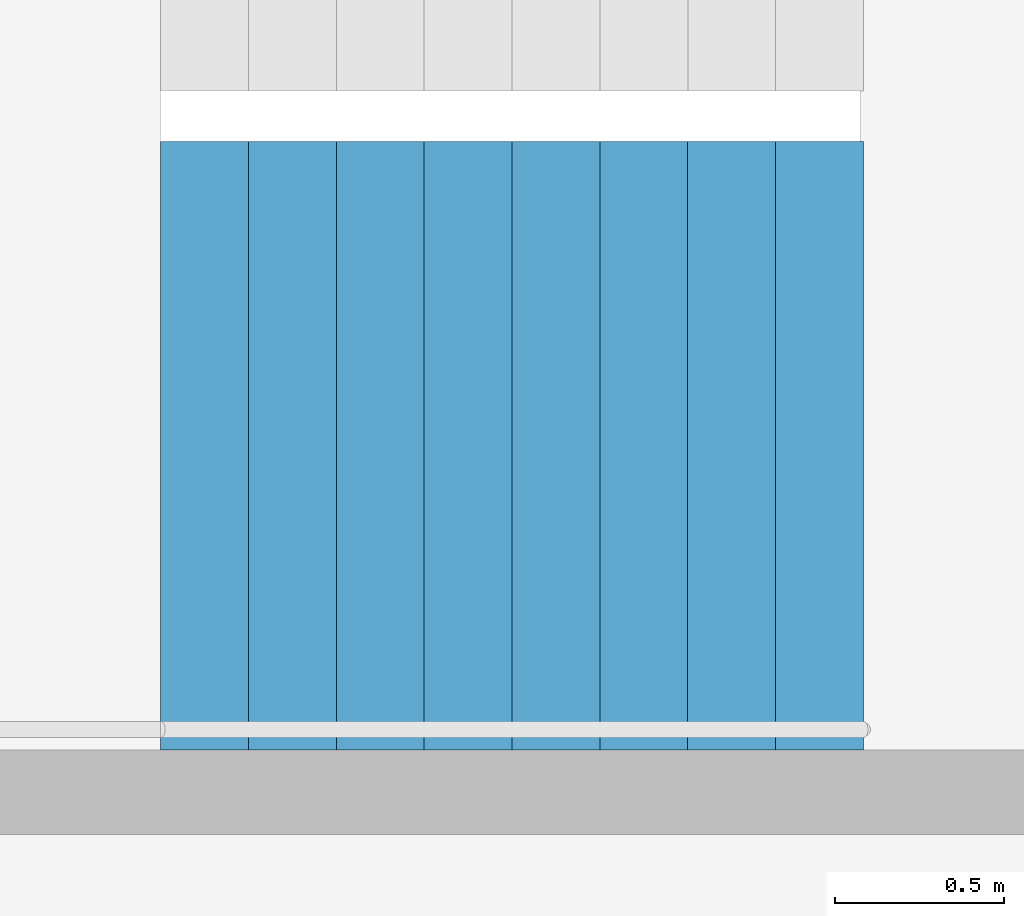
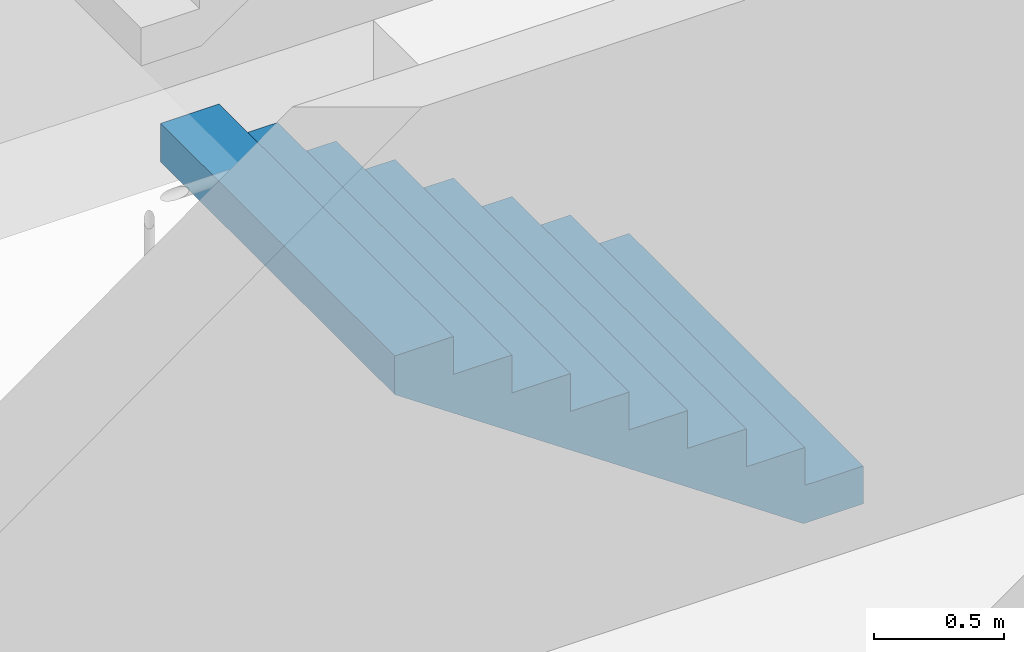
# One storey, part 23 of 25: 1 stair flight, 1 element without a shape of its own.
"""IFC4 building model written with IfcOpenShell, lengths in metres."""

from ifc_helpers import new_model, si_unit, direction, frame, origin, place, context, subcontext, project, spatial, triangles, material, type_object, element, aggregate, save


model = new_model("IFC4")

# Units and contexts
model_context = context("Model", 3, precision=1e-05, world=origin(), true_north=direction((0.0, 1.0)))
body_context = subcontext(model_context, "Body", "Model", "MODEL_VIEW")
ifc_project = project(units=[si_unit("LENGTHUNIT", "METRE"), si_unit("AREAUNIT", "SQUARE_METRE"), si_unit("VOLUMEUNIT", "CUBIC_METRE"), si_unit("PLANEANGLEUNIT", "RADIAN"), si_unit("MASSUNIT", "GRAM", prefix="KILO")], contexts=[model_context])

# Site, building, storey
site_placement = place(None, origin())
site = spatial("IfcSite", under=ifc_project, at=site_placement, CompositionType="ELEMENT")
building_placement = place(site_placement, origin())
building = spatial("IfcBuilding", under=site, at=building_placement, Name="Hakoniwa Tower and Hamabe Station Hall", CompositionType="ELEMENT")
storey_placement = place(building_placement, frame((0.0, 0.0, 202.60009765625)))
storey = spatial("IfcBuildingStorey", under=building, at=storey_placement, Name="L57", CompositionType="ELEMENT", Elevation=202.60009765625)

# Stair, stair flight
ifc_material_1 = material(Name="Concrete C40", Category="concrete")
stair_type = type_object("IfcStairType", Name="ESCAPE STAIR 1800", PredefinedType="HALF_TURN_STAIR", material=ifc_material_1)
stair_placement = place(storey_placement, origin())
stair = element("IfcStair", 1, at=stair_placement, inside=storey, type_object=stair_type, Name="Escape stair ST-3 L57", PredefinedType="HALF_TURN_STAIR")
ifc_material_2 = material(Name="Concrete C40", Category="concrete")
stair_flight_type = type_object("IfcStairFlightType", Name="STAIR FLIGHT 1800", PredefinedType="STRAIGHT", material=ifc_material_2)
stair_flight_placement = place(storey_placement, frame((24.39990234375, 4.64990234375, 0.0), z_axis=(0.0, 0.0, 1.0), x_axis=(-1.0, 0.0, 0.0)))
stair_flight = element("IfcStairFlight", 2, at=stair_flight_placement, type_object=stair_flight_type, Name="ST-3 flight 1", NumberOfRisers=9, NumberOfTreads=8, PredefinedType="STRAIGHT", RiserHeight=0.177777778, TreadLength=0.26, context=body_context, shape_type="Tessellation", body=[
    triangles([(0.0, 0.89990234375, 0.0), (0.260009765625, 0.89990234375, 0.0), (0.265625, 0.89990234375, 0.0), (0.52001953125, 0.89990234375, 0.174072265625), (0.780029296875, 0.89990234375, 0.351806640625), (1.0400390625, 0.89990234375, 0.529541015625), (1.300048828125, 0.89990234375, 0.707275390625), (1.56005859375, 0.89990234375, 0.885009765625), (1.820068359375, 0.89990234375, 1.062744140625), (2.080078125, 0.89990234375, 1.24072265625), (2.080078125, 0.89990234375, 1.422119140625), (1.820068359375, 0.89990234375, 1.422119140625), (1.820068359375, 0.89990234375, 1.244384765625), (1.56005859375, 0.89990234375, 1.244384765625), (1.56005859375, 0.89990234375, 1.066650390625), (1.300048828125, 0.89990234375, 1.066650390625), (1.300048828125, 0.89990234375, 0.888916015625), (1.0400390625, 0.89990234375, 0.888916015625), (1.0400390625, 0.89990234375, 0.711181640625), (0.780029296875, 0.89990234375, 0.711181640625), (0.780029296875, 0.89990234375, 0.533447265625), (0.52001953125, 0.89990234375, 0.533447265625), (0.52001953125, 0.89990234375, 0.35546875), (0.265625, 0.89990234375, 0.35546875), (0.260009765625, 0.89990234375, 0.35546875), (0.260009765625, 0.89990234375, 0.177734375), (0.0, 0.89990234375, 0.177734375), (0.0, 0.06005859375, 0.0), (0.260009765625, 0.06005859375, 0.0), (0.265625, 0.06005859375, 0.0), (0.52001953125, 0.06005859375, 0.174072265625), (0.780029296875, 0.06005859375, 0.351806640625), (1.0400390625, 0.06005859375, 0.529541015625), (1.300048828125, 0.06005859375, 0.707275390625), (1.56005859375, 0.06005859375, 0.885009765625), (1.820068359375, 0.06005859375, 1.062744140625), (2.080078125, 0.06005859375, 1.24072265625), (2.080078125, 0.06005859375, 1.422119140625), (1.820068359375, 0.06005859375, 1.422119140625), (1.820068359375, 0.06005859375, 1.244384765625), (1.56005859375, 0.06005859375, 1.244384765625), (1.56005859375, 0.06005859375, 1.066650390625), (1.300048828125, 0.06005859375, 1.066650390625), (1.300048828125, 0.06005859375, 0.888916015625), (1.0400390625, 0.06005859375, 0.888916015625), (1.0400390625, 0.06005859375, 0.711181640625), (0.780029296875, 0.06005859375, 0.711181640625), (0.780029296875, 0.06005859375, 0.533447265625), (0.52001953125, 0.06005859375, 0.533447265625), (0.52001953125, 0.06005859375, 0.35546875), (0.265625, 0.06005859375, 0.35546875), (0.260009765625, 0.06005859375, 0.35546875), (0.260009765625, 0.06005859375, 0.177734375), (0.0, 0.06005859375, 0.177734375), (0.0, 0.04296875, 0.0), (0.260009765625, 0.04296875, 0.0), (0.265625, 0.04296875, 0.0), (0.52001953125, 0.04296875, 0.174072265625), (0.780029296875, 0.04296875, 0.351806640625), (1.0400390625, 0.04296875, 0.529541015625), (1.300048828125, 0.04296875, 0.707275390625), (1.56005859375, 0.04296875, 0.885009765625), (1.820068359375, 0.04296875, 1.062744140625), (2.080078125, 0.04296875, 1.24072265625), (2.080078125, 0.04296875, 1.422119140625), (1.820068359375, 0.04296875, 1.422119140625), (1.820068359375, 0.04296875, 1.244384765625), (1.56005859375, 0.04296875, 1.244384765625), (1.56005859375, 0.04296875, 1.066650390625), (1.300048828125, 0.04296875, 1.066650390625), (1.300048828125, 0.04296875, 0.888916015625), (1.0400390625, 0.04296875, 0.888916015625), (1.0400390625, 0.04296875, 0.711181640625), (0.780029296875, 0.04296875, 0.711181640625), (0.780029296875, 0.04296875, 0.533447265625), (0.52001953125, 0.04296875, 0.533447265625), (0.52001953125, 0.04296875, 0.35546875), (0.265625, 0.04296875, 0.35546875), (0.260009765625, 0.04296875, 0.35546875), (0.260009765625, 0.04296875, 0.177734375), (0.0, 0.04296875, 0.177734375), (0.0, 0.025634765625, 0.0), (0.260009765625, 0.025634765625, 0.0), (0.265625, 0.025634765625, 0.0), (0.52001953125, 0.025634765625, 0.174072265625), (0.780029296875, 0.025634765625, 0.351806640625), (1.0400390625, 0.025634765625, 0.529541015625), (1.300048828125, 0.025634765625, 0.707275390625), (1.56005859375, 0.025634765625, 0.885009765625), (1.820068359375, 0.025634765625, 1.062744140625), (2.080078125, 0.025634765625, 1.24072265625), (2.080078125, 0.025634765625, 1.422119140625), (1.820068359375, 0.025634765625, 1.422119140625), (1.820068359375, 0.025634765625, 1.244384765625), (1.56005859375, 0.025634765625, 1.244384765625), (1.56005859375, 0.025634765625, 1.066650390625), (1.300048828125, 0.025634765625, 1.066650390625), (1.300048828125, 0.025634765625, 0.888916015625), (1.0400390625, 0.025634765625, 0.888916015625), (1.0400390625, 0.025634765625, 0.711181640625), (0.780029296875, 0.025634765625, 0.711181640625), (0.780029296875, 0.025634765625, 0.533447265625), (0.52001953125, 0.025634765625, 0.533447265625), (0.52001953125, 0.025634765625, 0.35546875), (0.265625, 0.025634765625, 0.35546875), (0.260009765625, 0.025634765625, 0.35546875), (0.260009765625, 0.025634765625, 0.177734375), (0.0, 0.025634765625, 0.177734375), (0.0, 0.008544921875, 0.0), (0.260009765625, 0.008544921875, 0.0), (0.265625, 0.008544921875, 0.0), (0.52001953125, 0.008544921875, 0.174072265625), (0.780029296875, 0.008544921875, 0.351806640625), (1.0400390625, 0.008544921875, 0.529541015625), (1.300048828125, 0.008544921875, 0.707275390625), (1.56005859375, 0.008544921875, 0.885009765625), (1.820068359375, 0.008544921875, 1.062744140625), (2.080078125, 0.008544921875, 1.24072265625), (2.080078125, 0.008544921875, 1.422119140625), (1.820068359375, 0.008544921875, 1.422119140625), (1.820068359375, 0.008544921875, 1.244384765625), (1.56005859375, 0.008544921875, 1.244384765625), (1.56005859375, 0.008544921875, 1.066650390625), (1.300048828125, 0.008544921875, 1.066650390625), (1.300048828125, 0.008544921875, 0.888916015625), (1.0400390625, 0.008544921875, 0.888916015625), (1.0400390625, 0.008544921875, 0.711181640625), (0.780029296875, 0.008544921875, 0.711181640625), (0.780029296875, 0.008544921875, 0.533447265625), (0.52001953125, 0.008544921875, 0.533447265625), (0.52001953125, 0.008544921875, 0.35546875), (0.265625, 0.008544921875, 0.35546875), (0.260009765625, 0.008544921875, 0.35546875), (0.260009765625, 0.008544921875, 0.177734375), (0.0, 0.008544921875, 0.177734375), (0.0, -0.008544921875, 0.0), (0.260009765625, -0.008544921875, 0.0), (0.265625, -0.008544921875, 0.0), (0.52001953125, -0.008544921875, 0.174072265625), (0.780029296875, -0.008544921875, 0.351806640625), (1.0400390625, -0.008544921875, 0.529541015625), (1.300048828125, -0.008544921875, 0.707275390625), (1.56005859375, -0.008544921875, 0.885009765625), (1.820068359375, -0.008544921875, 1.062744140625), (2.080078125, -0.008544921875, 1.24072265625), (2.080078125, -0.008544921875, 1.422119140625), (1.820068359375, -0.008544921875, 1.422119140625), (1.820068359375, -0.008544921875, 1.244384765625), (1.56005859375, -0.008544921875, 1.244384765625), (1.56005859375, -0.008544921875, 1.066650390625), (1.300048828125, -0.008544921875, 1.066650390625), (1.300048828125, -0.008544921875, 0.888916015625), (1.0400390625, -0.008544921875, 0.888916015625), (1.0400390625, -0.008544921875, 0.711181640625), (0.780029296875, -0.008544921875, 0.711181640625), (0.780029296875, -0.008544921875, 0.533447265625), (0.52001953125, -0.008544921875, 0.533447265625), (0.52001953125, -0.008544921875, 0.35546875), (0.265625, -0.008544921875, 0.35546875), (0.260009765625, -0.008544921875, 0.35546875), (0.260009765625, -0.008544921875, 0.177734375), (0.0, -0.008544921875, 0.177734375), (0.0, -0.025634765625, 0.0), (0.260009765625, -0.025634765625, 0.0), (0.265625, -0.025634765625, 0.0), (0.52001953125, -0.025634765625, 0.174072265625), (0.780029296875, -0.025634765625, 0.351806640625), (1.0400390625, -0.025634765625, 0.529541015625), (1.300048828125, -0.025634765625, 0.707275390625), (1.56005859375, -0.025634765625, 0.885009765625), (1.820068359375, -0.025634765625, 1.062744140625), (2.080078125, -0.025634765625, 1.24072265625), (2.080078125, -0.025634765625, 1.422119140625), (1.820068359375, -0.025634765625, 1.422119140625), (1.820068359375, -0.025634765625, 1.244384765625), (1.56005859375, -0.025634765625, 1.244384765625), (1.56005859375, -0.025634765625, 1.066650390625), (1.300048828125, -0.025634765625, 1.066650390625), (1.300048828125, -0.025634765625, 0.888916015625), (1.0400390625, -0.025634765625, 0.888916015625), (1.0400390625, -0.025634765625, 0.711181640625), (0.780029296875, -0.025634765625, 0.711181640625), (0.780029296875, -0.025634765625, 0.533447265625), (0.52001953125, -0.025634765625, 0.533447265625), (0.52001953125, -0.025634765625, 0.35546875), (0.265625, -0.025634765625, 0.35546875), (0.260009765625, -0.025634765625, 0.35546875), (0.260009765625, -0.025634765625, 0.177734375), (0.0, -0.025634765625, 0.177734375), (0.0, -0.04296875, 0.0), (0.260009765625, -0.04296875, 0.0), (0.265625, -0.04296875, 0.0), (0.52001953125, -0.04296875, 0.174072265625), (0.780029296875, -0.04296875, 0.351806640625), (1.0400390625, -0.04296875, 0.529541015625), (1.300048828125, -0.04296875, 0.707275390625), (1.56005859375, -0.04296875, 0.885009765625), (1.820068359375, -0.04296875, 1.062744140625), (2.080078125, -0.04296875, 1.24072265625), (2.080078125, -0.04296875, 1.422119140625), (1.820068359375, -0.04296875, 1.422119140625), (1.820068359375, -0.04296875, 1.244384765625), (1.56005859375, -0.04296875, 1.244384765625), (1.56005859375, -0.04296875, 1.066650390625), (1.300048828125, -0.04296875, 1.066650390625), (1.300048828125, -0.04296875, 0.888916015625), (1.0400390625, -0.04296875, 0.888916015625), (1.0400390625, -0.04296875, 0.711181640625), (0.780029296875, -0.04296875, 0.711181640625), (0.780029296875, -0.04296875, 0.533447265625), (0.52001953125, -0.04296875, 0.533447265625), (0.52001953125, -0.04296875, 0.35546875), (0.265625, -0.04296875, 0.35546875), (0.260009765625, -0.04296875, 0.35546875), (0.260009765625, -0.04296875, 0.177734375), (0.0, -0.04296875, 0.177734375), (0.0, -0.06005859375, 0.0), (0.260009765625, -0.06005859375, 0.0), (0.265625, -0.06005859375, 0.0), (0.52001953125, -0.06005859375, 0.174072265625), (0.780029296875, -0.06005859375, 0.351806640625), (1.0400390625, -0.06005859375, 0.529541015625), (1.300048828125, -0.06005859375, 0.707275390625), (1.56005859375, -0.06005859375, 0.885009765625), (1.820068359375, -0.06005859375, 1.062744140625), (2.080078125, -0.06005859375, 1.24072265625), (2.080078125, -0.06005859375, 1.422119140625), (1.820068359375, -0.06005859375, 1.422119140625), (1.820068359375, -0.06005859375, 1.244384765625), (1.56005859375, -0.06005859375, 1.244384765625), (1.56005859375, -0.06005859375, 1.066650390625), (1.300048828125, -0.06005859375, 1.066650390625), (1.300048828125, -0.06005859375, 0.888916015625), (1.0400390625, -0.06005859375, 0.888916015625), (1.0400390625, -0.06005859375, 0.711181640625), (0.780029296875, -0.06005859375, 0.711181640625), (0.780029296875, -0.06005859375, 0.533447265625), (0.52001953125, -0.06005859375, 0.533447265625), (0.52001953125, -0.06005859375, 0.35546875), (0.265625, -0.06005859375, 0.35546875), (0.260009765625, -0.06005859375, 0.35546875), (0.260009765625, -0.06005859375, 0.177734375), (0.0, -0.06005859375, 0.177734375), (0.0, -0.89990234375, 0.0), (0.260009765625, -0.89990234375, 0.0), (0.265625, -0.89990234375, 0.0), (0.52001953125, -0.89990234375, 0.174072265625), (0.780029296875, -0.89990234375, 0.351806640625), (1.0400390625, -0.89990234375, 0.529541015625), (1.300048828125, -0.89990234375, 0.707275390625), (1.56005859375, -0.89990234375, 0.885009765625), (1.820068359375, -0.89990234375, 1.062744140625), (2.080078125, -0.89990234375, 1.24072265625), (2.080078125, -0.89990234375, 1.422119140625), (1.820068359375, -0.89990234375, 1.422119140625), (1.820068359375, -0.89990234375, 1.244384765625), (1.56005859375, -0.89990234375, 1.244384765625), (1.56005859375, -0.89990234375, 1.066650390625), (1.300048828125, -0.89990234375, 1.066650390625), (1.300048828125, -0.89990234375, 0.888916015625), (1.0400390625, -0.89990234375, 0.888916015625), (1.0400390625, -0.89990234375, 0.711181640625), (0.780029296875, -0.89990234375, 0.711181640625), (0.780029296875, -0.89990234375, 0.533447265625), (0.52001953125, -0.89990234375, 0.533447265625), (0.52001953125, -0.89990234375, 0.35546875), (0.265625, -0.89990234375, 0.35546875), (0.260009765625, -0.89990234375, 0.35546875), (0.260009765625, -0.89990234375, 0.177734375), (0.0, -0.89990234375, 0.177734375)], [[2, 27, 26], [245, 269, 270], [2, 1, 27], [245, 270, 244], [3, 25, 24], [246, 267, 268], [3, 26, 25], [246, 268, 269], [3, 2, 26], [246, 269, 245], [4, 24, 23], [247, 266, 267], [4, 3, 24], [247, 267, 246], [5, 22, 21], [248, 264, 265], [5, 23, 22], [248, 265, 266], [5, 4, 23], [248, 266, 247], [6, 20, 19], [249, 262, 263], [6, 21, 20], [249, 263, 264], [6, 5, 21], [249, 264, 248], [7, 18, 17], [250, 260, 261], [7, 19, 18], [250, 261, 262], [7, 6, 19], [250, 262, 249], [8, 16, 15], [251, 258, 259], [8, 17, 16], [251, 259, 260], [8, 7, 17], [251, 260, 250], [9, 14, 13], [252, 256, 257], [9, 15, 14], [252, 257, 258], [9, 8, 15], [252, 258, 251], [10, 12, 11], [253, 254, 255], [10, 13, 12], [253, 255, 256], [10, 9, 13], [253, 256, 252], [1, 2, 29], [1, 29, 28], [28, 29, 56], [28, 56, 55], [55, 56, 83], [55, 83, 82], [82, 83, 110], [82, 110, 109], [109, 110, 137], [109, 137, 136], [136, 137, 164], [136, 164, 163], [163, 164, 191], [163, 191, 190], [190, 191, 218], [190, 218, 217], [217, 218, 245], [217, 245, 244], [2, 3, 30], [2, 30, 29], [29, 30, 57], [29, 57, 56], [56, 57, 84], [56, 84, 83], [83, 84, 111], [83, 111, 110], [110, 111, 138], [110, 138, 137], [137, 138, 165], [137, 165, 164], [164, 165, 192], [164, 192, 191], [191, 192, 219], [191, 219, 218], [218, 219, 246], [218, 246, 245], [3, 4, 31], [3, 31, 30], [30, 31, 58], [30, 58, 57], [57, 58, 85], [57, 85, 84], [84, 85, 112], [84, 112, 111], [111, 112, 139], [111, 139, 138], [138, 139, 166], [138, 166, 165], [165, 166, 193], [165, 193, 192], [192, 193, 220], [192, 220, 219], [219, 220, 247], [219, 247, 246], [4, 5, 32], [4, 32, 31], [31, 32, 59], [31, 59, 58], [58, 59, 86], [58, 86, 85], [85, 86, 113], [85, 113, 112], [112, 113, 140], [112, 140, 139], [139, 140, 167], [139, 167, 166], [166, 167, 194], [166, 194, 193], [193, 194, 221], [193, 221, 220], [220, 221, 248], [220, 248, 247], [5, 6, 33], [5, 33, 32], [32, 33, 60], [32, 60, 59], [59, 60, 87], [59, 87, 86], [86, 87, 114], [86, 114, 113], [113, 114, 141], [113, 141, 140], [140, 141, 168], [140, 168, 167], [167, 168, 195], [167, 195, 194], [194, 195, 222], [194, 222, 221], [221, 222, 249], [221, 249, 248], [6, 7, 34], [6, 34, 33], [33, 34, 61], [33, 61, 60], [60, 61, 88], [60, 88, 87], [87, 88, 115], [87, 115, 114], [114, 115, 142], [114, 142, 141], [141, 142, 169], [141, 169, 168], [168, 169, 196], [168, 196, 195], [195, 196, 223], [195, 223, 222], [222, 223, 250], [222, 250, 249], [7, 8, 35], [7, 35, 34], [34, 35, 62], [34, 62, 61], [61, 62, 89], [61, 89, 88], [88, 89, 116], [88, 116, 115], [115, 116, 143], [115, 143, 142], [142, 143, 170], [142, 170, 169], [169, 170, 197], [169, 197, 196], [196, 197, 224], [196, 224, 223], [223, 224, 251], [223, 251, 250], [8, 9, 36], [8, 36, 35], [35, 36, 63], [35, 63, 62], [62, 63, 90], [62, 90, 89], [89, 90, 117], [89, 117, 116], [116, 117, 144], [116, 144, 143], [143, 144, 171], [143, 171, 170], [170, 171, 198], [170, 198, 197], [197, 198, 225], [197, 225, 224], [224, 225, 252], [224, 252, 251], [9, 10, 37], [9, 37, 36], [36, 37, 64], [36, 64, 63], [63, 64, 91], [63, 91, 90], [90, 91, 118], [90, 118, 117], [117, 118, 145], [117, 145, 144], [144, 145, 172], [144, 172, 171], [171, 172, 199], [171, 199, 198], [198, 199, 226], [198, 226, 225], [225, 226, 253], [225, 253, 252], [10, 11, 38], [10, 38, 37], [37, 38, 65], [37, 65, 64], [64, 65, 92], [64, 92, 91], [91, 92, 119], [91, 119, 118], [118, 119, 146], [118, 146, 145], [145, 146, 173], [145, 173, 172], [172, 173, 200], [172, 200, 199], [199, 200, 227], [199, 227, 226], [226, 227, 254], [226, 254, 253], [11, 12, 39], [11, 39, 38], [38, 39, 66], [38, 66, 65], [65, 66, 93], [65, 93, 92], [92, 93, 120], [92, 120, 119], [119, 120, 147], [119, 147, 146], [146, 147, 174], [146, 174, 173], [173, 174, 201], [173, 201, 200], [200, 201, 228], [200, 228, 227], [227, 228, 255], [227, 255, 254], [12, 13, 40], [12, 40, 39], [39, 40, 67], [39, 67, 66], [66, 67, 94], [66, 94, 93], [93, 94, 121], [93, 121, 120], [120, 121, 148], [120, 148, 147], [147, 148, 175], [147, 175, 174], [174, 175, 202], [174, 202, 201], [201, 202, 229], [201, 229, 228], [228, 229, 256], [228, 256, 255], [13, 14, 41], [13, 41, 40], [40, 41, 68], [40, 68, 67], [67, 68, 95], [67, 95, 94], [94, 95, 122], [94, 122, 121], [121, 122, 149], [121, 149, 148], [148, 149, 176], [148, 176, 175], [175, 176, 203], [175, 203, 202], [202, 203, 230], [202, 230, 229], [229, 230, 257], [229, 257, 256], [14, 15, 42], [14, 42, 41], [41, 42, 69], [41, 69, 68], [68, 69, 96], [68, 96, 95], [95, 96, 123], [95, 123, 122], [122, 123, 150], [122, 150, 149], [149, 150, 177], [149, 177, 176], [176, 177, 204], [176, 204, 203], [203, 204, 231], [203, 231, 230], [230, 231, 258], [230, 258, 257], [15, 16, 43], [15, 43, 42], [42, 43, 70], [42, 70, 69], [69, 70, 97], [69, 97, 96], [96, 97, 124], [96, 124, 123], [123, 124, 151], [123, 151, 150], [150, 151, 178], [150, 178, 177], [177, 178, 205], [177, 205, 204], [204, 205, 232], [204, 232, 231], [231, 232, 259], [231, 259, 258], [16, 17, 44], [16, 44, 43], [43, 44, 71], [43, 71, 70], [70, 71, 98], [70, 98, 97], [97, 98, 125], [97, 125, 124], [124, 125, 152], [124, 152, 151], [151, 152, 179], [151, 179, 178], [178, 179, 206], [178, 206, 205], [205, 206, 233], [205, 233, 232], [232, 233, 260], [232, 260, 259], [17, 18, 45], [17, 45, 44], [44, 45, 72], [44, 72, 71], [71, 72, 99], [71, 99, 98], [98, 99, 126], [98, 126, 125], [125, 126, 153], [125, 153, 152], [152, 153, 180], [152, 180, 179], [179, 180, 207], [179, 207, 206], [206, 207, 234], [206, 234, 233], [233, 234, 261], [233, 261, 260], [18, 19, 46], [18, 46, 45], [45, 46, 73], [45, 73, 72], [72, 73, 100], [72, 100, 99], [99, 100, 127], [99, 127, 126], [126, 127, 154], [126, 154, 153], [153, 154, 181], [153, 181, 180], [180, 181, 208], [180, 208, 207], [207, 208, 235], [207, 235, 234], [234, 235, 262], [234, 262, 261], [19, 20, 47], [19, 47, 46], [46, 47, 74], [46, 74, 73], [73, 74, 101], [73, 101, 100], [100, 101, 128], [100, 128, 127], [127, 128, 155], [127, 155, 154], [154, 155, 182], [154, 182, 181], [181, 182, 209], [181, 209, 208], [208, 209, 236], [208, 236, 235], [235, 236, 263], [235, 263, 262], [20, 21, 48], [20, 48, 47], [47, 48, 75], [47, 75, 74], [74, 75, 102], [74, 102, 101], [101, 102, 129], [101, 129, 128], [128, 129, 156], [128, 156, 155], [155, 156, 183], [155, 183, 182], [182, 183, 210], [182, 210, 209], [209, 210, 237], [209, 237, 236], [236, 237, 264], [236, 264, 263], [21, 22, 49], [21, 49, 48], [48, 49, 76], [48, 76, 75], [75, 76, 103], [75, 103, 102], [102, 103, 130], [102, 130, 129], [129, 130, 157], [129, 157, 156], [156, 157, 184], [156, 184, 183], [183, 184, 211], [183, 211, 210], [210, 211, 238], [210, 238, 237], [237, 238, 265], [237, 265, 264], [22, 23, 50], [22, 50, 49], [49, 50, 77], [49, 77, 76], [76, 77, 104], [76, 104, 103], [103, 104, 131], [103, 131, 130], [130, 131, 158], [130, 158, 157], [157, 158, 185], [157, 185, 184], [184, 185, 212], [184, 212, 211], [211, 212, 239], [211, 239, 238], [238, 239, 266], [238, 266, 265], [23, 24, 51], [23, 51, 50], [50, 51, 78], [50, 78, 77], [77, 78, 105], [77, 105, 104], [104, 105, 132], [104, 132, 131], [131, 132, 159], [131, 159, 158], [158, 159, 186], [158, 186, 185], [185, 186, 213], [185, 213, 212], [212, 213, 240], [212, 240, 239], [239, 240, 267], [239, 267, 266], [24, 25, 52], [24, 52, 51], [51, 52, 79], [51, 79, 78], [78, 79, 106], [78, 106, 105], [105, 106, 133], [105, 133, 132], [132, 133, 160], [132, 160, 159], [159, 160, 187], [159, 187, 186], [186, 187, 214], [186, 214, 213], [213, 214, 241], [213, 241, 240], [240, 241, 268], [240, 268, 267], [25, 26, 53], [25, 53, 52], [52, 53, 80], [52, 80, 79], [79, 80, 107], [79, 107, 106], [106, 107, 134], [106, 134, 133], [133, 134, 161], [133, 161, 160], [160, 161, 188], [160, 188, 187], [187, 188, 215], [187, 215, 214], [214, 215, 242], [214, 242, 241], [241, 242, 269], [241, 269, 268], [26, 27, 54], [26, 54, 53], [53, 54, 81], [53, 81, 80], [80, 81, 108], [80, 108, 107], [107, 108, 135], [107, 135, 134], [134, 135, 162], [134, 162, 161], [161, 162, 189], [161, 189, 188], [188, 189, 216], [188, 216, 215], [215, 216, 243], [215, 243, 242], [242, 243, 270], [242, 270, 269], [27, 1, 28], [27, 28, 54], [54, 28, 55], [54, 55, 81], [81, 55, 82], [81, 82, 108], [108, 82, 109], [108, 109, 135], [135, 109, 136], [135, 136, 162], [162, 136, 163], [162, 163, 189], [189, 163, 190], [189, 190, 216], [216, 190, 217], [216, 217, 243], [243, 217, 244], [243, 244, 270]], closed=True),
])
aggregate(stair, [stair_flight])

save(model, "model.ifc")
